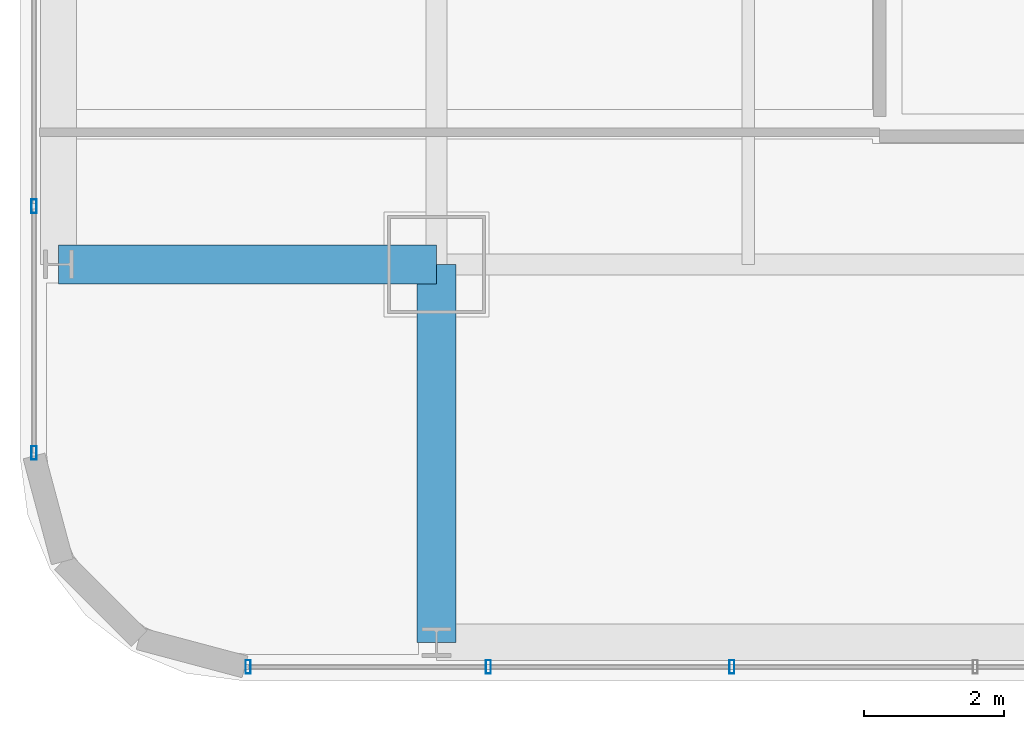
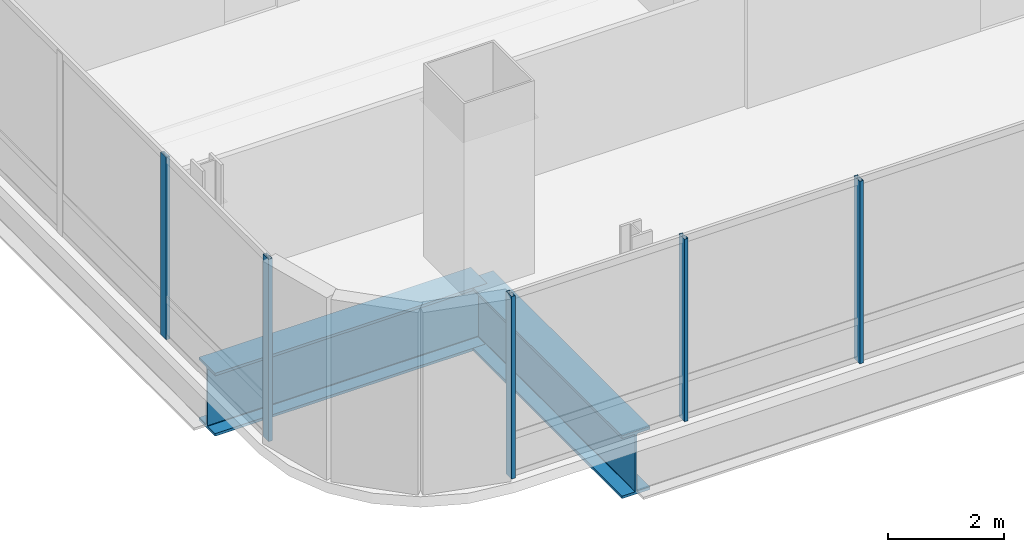
# One storey, part 2 of 38: 5 members, 2 beams, 2 elements without a shape of their own.
"""IFC4 building model written with IfcOpenShell, lengths in metres."""

from ifc_helpers import new_model, si_unit, direction, frame, origin, origin_2d, place, context, subcontext, project, spatial, hollow_rectangle, i_section, extrude, material, material_profile, profile_set, type_object, element, aggregate, save


model = new_model("IFC4")

# Units and contexts
model_context = context("Model", 3, precision=1e-05, world=origin(), true_north=direction((0.0, 1.0)))
body_context = subcontext(model_context, "Body", "Model", "MODEL_VIEW")
ifc_project = project(units=[si_unit("LENGTHUNIT", "METRE"), si_unit("AREAUNIT", "SQUARE_METRE"), si_unit("VOLUMEUNIT", "CUBIC_METRE"), si_unit("PLANEANGLEUNIT", "RADIAN"), si_unit("MASSUNIT", "GRAM", prefix="KILO")], contexts=[model_context])

# Site, building, storey
site_placement = place(None, origin())
site = spatial("IfcSite", under=ifc_project, at=site_placement, CompositionType="ELEMENT")
building_placement = place(site_placement, origin())
building = spatial("IfcBuilding", under=site, at=building_placement, Name="Punatoya Terracotta Tower", CompositionType="ELEMENT")
storey_placement = place(building_placement, frame((0.0, 0.0, 188.39990234375)))
storey = spatial("IfcBuildingStorey", under=building, at=storey_placement, Name="L44", CompositionType="ELEMENT", Elevation=188.39990234375)

# Beams
ifc_material_1 = material(Name="Steel S460", Category="steel")
ifc_material_profile_1 = material_profile(ifc_material_1, i_section(OverallWidth=0.56005859375, OverallDepth=1.320068359375, WebThickness=0.035888671875, FlangeThickness=0.054931640625, FilletRadius=0.01806640625, at=origin_2d()))
ifc_profile_set_1 = profile_set([ifc_material_profile_1], Name="Steel S460")
beam_type = type_object("IfcBeamType", Name="BM-TG-BLK", PredefinedType="BEAM", material=ifc_profile_set_1)
for number, where, z_axis, x_axis, name in (
    (1, (-24.5, -17.5, -0.8798828125), (1.0, 0.0, 0.0), (0.0, 1.0, 0.0), "BM-L44-CANT-W1"),
    (2, (-19.10009765625, -22.89990234375, -0.8798828125), (0.0, 1.0, 0.0), (-1.0, 0.0, 0.0), "BM-L44-CANT-S1"),
):
    element("IfcBeam", number, at=place(storey_placement, frame(where, z_axis=z_axis, x_axis=x_axis)), inside=storey, type_object=beam_type, Name=name, PredefinedType="BEAM", context=body_context, shape_type="SweptSolid", body=[
        extrude(i_section(OverallWidth=0.56005859375, OverallDepth=1.320068359375, WebThickness=0.035888671875, FlangeThickness=0.054931640625, FilletRadius=0.01806640625, at=origin_2d()), origin(), (0.0, 0.0, 1.0), 5.39990234375),
    ])

# Curtain wall, members
ifc_material_2 = material(Name="Aluminium 6063-T6 + Double Low-E Glass", Category="aluminium")
curtain_wall_type = type_object("IfcCurtainWallType", Name="CW-M2", PredefinedType="NOTDEFINED", material=ifc_material_2)
curtain_wall_1_placement = place(storey_placement, origin())
curtain_wall_1 = element("IfcCurtainWall", 3, at=curtain_wall_1_placement, inside=storey, type_object=curtain_wall_type, Name="L44 Curtain Wall CW-L44-S01-1", PredefinedType="NOTDEFINED")
ifc_material_3 = material(Name="Aluminium 6063-T6", Category="aluminium")
ifc_material_profile_2 = material_profile(ifc_material_3, hollow_rectangle(XDim=0.072021484375, YDim=0.195068359375, WallThickness=0.00439453125, at=origin_2d()))
ifc_profile_set_2 = profile_set([ifc_material_profile_2], Name="Aluminium 6063-T6")
member_type = type_object("IfcMemberType", Name="CW-MUL-M2", PredefinedType="MULLION", material=ifc_profile_set_2)
member_1_placement = place(storey_placement, frame((-21.7919921875, -23.25, 0.0), z_axis=(0.0, 0.0, 1.0), x_axis=(1.0, 0.0, 0.0)))
member_1 = element("IfcMember", 4, at=member_1_placement, type_object=member_type, Name="CW-L44-S01-1 Mullion 00", PredefinedType="MULLION", context=body_context, shape_type="SweptSolid", body=[
    extrude(hollow_rectangle(XDim=0.072021484375, YDim=0.195068359375, WallThickness=0.00439453125, at=origin_2d()), origin(), (0.0, 0.0, 1.0), 3.830078125),
])
member_2_placement = place(storey_placement, frame((-18.359619140625, -23.25, 0.0), z_axis=(0.0, 0.0, 1.0), x_axis=(1.0, 0.0, 0.0)))
member_2 = element("IfcMember", 5, at=member_2_placement, type_object=member_type, Name="CW-L44-S01-1 Mullion 01", PredefinedType="MULLION", context=body_context, shape_type="SweptSolid", body=[
    extrude(hollow_rectangle(XDim=0.072021484375, YDim=0.195068359375, WallThickness=0.00439453125, at=origin_2d()), origin(), (0.0, 0.0, 1.0), 3.830078125),
])
member_3_placement = place(storey_placement, frame((-14.882080078125, -23.25, 0.0), z_axis=(0.0, 0.0, 1.0), x_axis=(1.0, 0.0, 0.0)))
member_3 = element("IfcMember", 6, at=member_3_placement, type_object=member_type, Name="CW-L44-S01-1 Mullion 02", PredefinedType="MULLION", context=body_context, shape_type="SweptSolid", body=[
    extrude(hollow_rectangle(XDim=0.072021484375, YDim=0.195068359375, WallThickness=0.00439453125, at=origin_2d()), origin(), (0.0, 0.0, 1.0), 3.830078125),
])
aggregate(curtain_wall_1, [member_1, member_2, member_3])

curtain_wall_2_placement = place(storey_placement, origin())
curtain_wall_2 = element("IfcCurtainWall", 7, at=curtain_wall_2_placement, inside=storey, type_object=curtain_wall_type, Name="L44 Curtain Wall CW-L44-W13-1", PredefinedType="NOTDEFINED")
member_4_placement = place(storey_placement, frame((-24.85009765625, -16.66943359375, 0.0), z_axis=(0.0, 0.0, 1.0), x_axis=(1.0, 0.0, 0.0)))
member_4 = element("IfcMember", 8, at=member_4_placement, type_object=member_type, Name="CW-L44-W13-1 Mullion 09", PredefinedType="MULLION", context=body_context, shape_type="SweptSolid", body=[
    extrude(hollow_rectangle(XDim=0.072021484375, YDim=0.195068359375, WallThickness=0.00439453125, at=origin_2d()), origin(), (0.0, 0.0, 1.0), 3.830078125),
])
member_5_placement = place(storey_placement, frame((-24.85009765625, -20.19189453125, 0.0), z_axis=(0.0, 0.0, 1.0), x_axis=(1.0, 0.0, 0.0)))
member_5 = element("IfcMember", 9, at=member_5_placement, type_object=member_type, Name="CW-L44-W13-1 Mullion 10", PredefinedType="MULLION", context=body_context, shape_type="SweptSolid", body=[
    extrude(hollow_rectangle(XDim=0.072021484375, YDim=0.195068359375, WallThickness=0.00439453125, at=origin_2d()), origin(), (0.0, 0.0, 1.0), 3.830078125),
])
aggregate(curtain_wall_2, [member_4, member_5])

save(model, "model.ifc")
